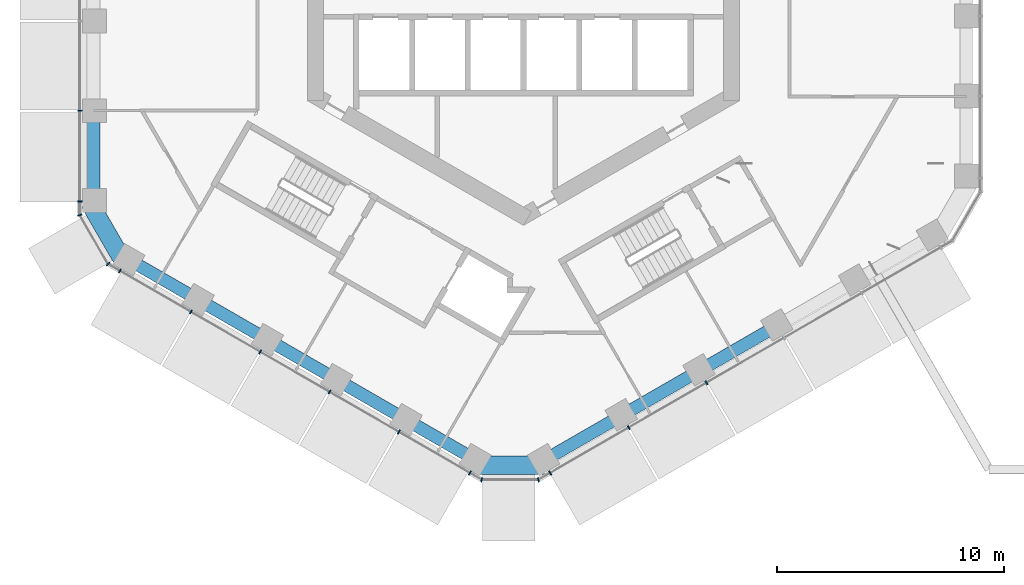
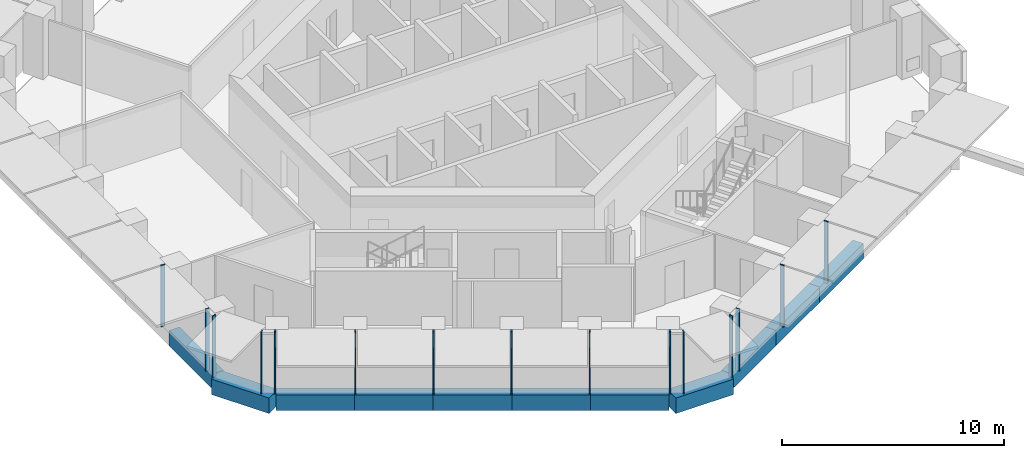
# One storey, part 2 of 21: 15 members, 11 beams, 5 elements without a shape of their own.
"""IFC4 building model written with IfcOpenShell, lengths in metres."""

from ifc_helpers import new_model, si_unit, direction, frame, origin, origin_2d, place, context, subcontext, project, spatial, rectangle, extrude, material, layer, layer_set, material_profile, profile_set, type_object, element, aggregate, save


model = new_model("IFC4")

# Units and contexts
model_context = context("Model", 3, precision=1e-05, world=origin(), true_north=direction((0.0, 1.0)))
body_context = subcontext(model_context, "Body", "Model", "MODEL_VIEW")
ifc_project = project(units=[si_unit("LENGTHUNIT", "METRE"), si_unit("AREAUNIT", "SQUARE_METRE"), si_unit("VOLUMEUNIT", "CUBIC_METRE"), si_unit("PLANEANGLEUNIT", "RADIAN"), si_unit("MASSUNIT", "GRAM", prefix="KILO")], contexts=[model_context])

# Site, building, storey
site_placement = place(None, origin())
site = spatial("IfcSite", under=ifc_project, at=site_placement, CompositionType="ELEMENT")
building_placement = place(site_placement, origin())
building = spatial("IfcBuilding", under=site, at=building_placement, Name="Ayvan Gate Tower", CompositionType="ELEMENT")
storey_placement = place(building_placement, frame((0.0, 0.0, 117.10009765625)))
storey = spatial("IfcBuildingStorey", under=building, at=storey_placement, Name="L31", CompositionType="ELEMENT", Elevation=117.10009765625)

# Beams
ifc_material_1 = material(Name="Concrete C40/50", Category="concrete")
ifc_material_profile_1 = material_profile(ifc_material_1, rectangle(XDim=0.800048828125, YDim=0.85009765625, at=origin_2d()), Name="RC 800x850")
ifc_profile_set_1 = profile_set([ifc_material_profile_1], Name="Concrete C40/50")
beam_type_1 = type_object("IfcBeamType", Name="Corner spandrel beam RC 800x850 C40/50", PredefinedType="BEAM", material=ifc_profile_set_1)
beam_1_placement = place(storey_placement, frame((-19.09619140625, -9.962890625, -0.775146484375), z_axis=(0.50002537861, -0.866010750942, 0.0), x_axis=(0.866010750942, 0.50002537861, 0.0)))
element("IfcBeam", 1, at=beam_1_placement, inside=storey, type_object=beam_type_1, Name="SB-L31-24", PredefinedType="BEAM", context=body_context, shape_type="SweptSolid", body=[
    extrude(rectangle(XDim=0.800048828125, YDim=0.85009765625, at=origin_2d()), origin(), (0.0, 0.0, 1.0), 2.999755859375),
])
beam_2_placement = place(storey_placement, frame((-2.079833984375, -21.51904296875, -0.775146484375), z_axis=(1.0, 0.0, 0.0), x_axis=(0.0, 1.0, 0.0)))
element("IfcBeam", 2, at=beam_2_placement, inside=storey, type_object=beam_type_1, Name="SB-L31-30", PredefinedType="BEAM", context=body_context, shape_type="SweptSolid", body=[
    extrude(rectangle(XDim=0.800048828125, YDim=0.85009765625, at=origin_2d()), origin(), (0.0, 0.0, 1.0), 3.0),
])
ifc_material_profile_2 = material_profile(ifc_material_1, rectangle(XDim=0.550048828125, YDim=0.85009765625, at=origin_2d()), Name="RC 550x850")
ifc_profile_set_2 = profile_set([ifc_material_profile_2], Name="Concrete C40/50")
beam_type_2 = type_object("IfcBeamType", Name="Spandrel beam RC 550x850 C40/50", PredefinedType="BEAM", material=ifc_profile_set_2)
beam_3_placement = place(storey_placement, frame((-18.905517578125, -5.91162109375, -0.775146484375), z_axis=(0.0, -1.0, 0.0), x_axis=(1.0, 0.0, 0.0)))
element("IfcBeam", 3, at=beam_3_placement, inside=storey, type_object=beam_type_2, Name="SB-L31-23", PredefinedType="BEAM", context=body_context, shape_type="SweptSolid", body=[
    extrude(rectangle(XDim=0.550048828125, YDim=0.85009765625, at=origin_2d()), origin(), (0.0, 0.0, 1.0), 3.941162109375),
])
beam_4_placement = place(storey_placement, frame((-17.405517578125, -12.450927734375, -0.775146484375), z_axis=(0.866027055032, -0.499997139945, 0.0), x_axis=(0.499997139945, 0.866027055032, 0.0)))
element("IfcBeam", 4, at=beam_4_placement, inside=storey, type_object=beam_type_2, Name="SB-L31-25", PredefinedType="BEAM", context=body_context, shape_type="SweptSolid", body=[
    extrude(rectangle(XDim=0.550048828125, YDim=0.85009765625, at=origin_2d()), origin(), (0.0, 0.0, 1.0), 3.5390625),
])
for number, where, z_axis, x_axis, name in (
    (5, (-14.340576171875, -14.220458984375, -0.775146484375), (0.866014430886, -0.500019005137, 0.0), (0.500019005137, 0.866014430886, 0.0), "SB-L31-26"),
    (6, (-11.275390625, -15.990234375, -0.775146484375), (0.866044299327, -0.499967270532, 0.0), (0.499967270532, 0.866044299327, 0.0), "SB-L31-27"),
    (7, (-8.210205078125, -17.759765625, -0.775146484375), (0.866014430886, -0.500019005137, 0.0), (0.500019005137, 0.866014430886, 0.0), "SB-L31-28"),
    (8, (-5.14501953125, -19.529541015625, -0.775146484375), (0.866044299327, -0.499967270532, 0.0), (0.499967270532, 0.866044299327, 0.0), "SB-L31-29"),
):
    element("IfcBeam", number, at=place(storey_placement, frame(where, z_axis=z_axis, x_axis=x_axis)), inside=storey, type_object=beam_type_2, Name=name, PredefinedType="BEAM", context=body_context, shape_type="SweptSolid", body=[
        extrude(rectangle(XDim=0.550048828125, YDim=0.85009765625, at=origin_2d()), origin(), (0.0, 0.0, 1.0), 3.539306640625),
    ])
for number, where, z_axis, x_axis, name in (
    (9, (0.920166015625, -21.299072265625, -0.775146484375), (0.866034973562, 0.499983424293, 0.0), (-0.499983424293, 0.866034973562, 0.0), "SB-L31-31"),
    (10, (4.333251953125, -19.32861328125, -0.775146484375), (0.866008149408, 0.500029884265, 0.0), (-0.500029884265, 0.866008149408, 0.0), "SB-L31-32"),
    (11, (7.746337890625, -17.35791015625, -0.775146484375), (0.866034973562, 0.499983424293, 0.0), (-0.499983424293, 0.866034973562, 0.0), "SB-L31-33"),
):
    element("IfcBeam", number, at=place(storey_placement, frame(where, z_axis=z_axis, x_axis=x_axis)), inside=storey, type_object=beam_type_2, Name=name, PredefinedType="BEAM", context=body_context, shape_type="SweptSolid", body=[
        extrude(rectangle(XDim=0.550048828125, YDim=0.85009765625, at=origin_2d()), origin(), (0.0, 0.0, 1.0), 3.941162109375),
    ])

# Curtain wall, members
ifc_material_2 = material(Name="Bronze anodised aluminium", Category="aluminium")
ifc_layer_1 = layer(ifc_material_2, 0.199951171875)
ifc_layer_set_1 = layer_set([ifc_layer_1], Name="Bronze anodised aluminium")
curtain_wall_type_1 = type_object("IfcCurtainWallType", Name="Stick curtain wall CW-1", PredefinedType="NOTDEFINED", material=ifc_layer_set_1)
curtain_wall_1_placement = place(storey_placement, origin())
curtain_wall_1 = element("IfcCurtainWall", 12, at=curtain_wall_1_placement, inside=storey, type_object=curtain_wall_type_1, Name="Stick curtain wall CW-1 L31", PredefinedType="NOTDEFINED")
ifc_material_profile_3 = material_profile(ifc_material_2, rectangle(XDim=0.199951171875, YDim=0.06005859375, at=origin_2d()), Name="Stick curtain wall CW-1 mullion 200 x 60")
ifc_profile_set_3 = profile_set([ifc_material_profile_3], Name="Bronze anodised aluminium")
member_type_1 = type_object("IfcMemberType", Name="Stick curtain wall CW-1 mullion 200 x 60", PredefinedType="MULLION", material=ifc_profile_set_3)
member_1_placement = place(storey_placement, frame((-19.51708984375, -5.92724609375, 0.0), z_axis=(0.0, 0.0, 1.0), x_axis=(-1.0, 0.0, 0.0)))
member_1 = element("IfcMember", 13, at=member_1_placement, type_object=member_type_1, Name="CW-1 mullion 5", PredefinedType="MULLION", context=body_context, shape_type="SweptSolid", body=[
    extrude(rectangle(XDim=0.199951171875, YDim=0.06005859375, at=origin_2d()), origin(), (0.0, 0.0, 1.0), 3.39990234375),
])
member_2_placement = place(storey_placement, frame((-19.51708984375, -9.912841796875, 0.0), z_axis=(0.0, 0.0, 1.0), x_axis=(-1.0, 0.0, 0.0)))
member_2 = element("IfcMember", 14, at=member_2_placement, type_object=member_type_1, Name="CW-1 mullion 6", PredefinedType="MULLION", context=body_context, shape_type="SweptSolid", body=[
    extrude(rectangle(XDim=0.199951171875, YDim=0.06005859375, at=origin_2d()), origin(), (0.0, 0.0, 1.0), 3.39990234375),
])
aggregate(curtain_wall_1, [member_1, member_2])

curtain_wall_2_placement = place(storey_placement, origin())
curtain_wall_2 = element("IfcCurtainWall", 15, at=curtain_wall_2_placement, inside=storey, type_object=curtain_wall_type_1, Name="Stick curtain wall CW-1 L31", PredefinedType="NOTDEFINED")
member_3_placement = place(storey_placement, frame((-17.749755859375, -12.973876953125, 0.0), z_axis=(0.0, 0.0, 1.0), x_axis=(-0.5, -0.866025403784, 0.0)))
member_3 = element("IfcMember", 16, at=member_3_placement, type_object=member_type_1, Name="CW-1 mullion 1", PredefinedType="MULLION", context=body_context, shape_type="SweptSolid", body=[
    extrude(rectangle(XDim=0.199951171875, YDim=0.06005859375, at=origin_2d()), origin(), (0.0, 0.0, 1.0), 3.39990234375),
])
member_4_placement = place(storey_placement, frame((-14.626953125, -14.77685546875, 0.0), z_axis=(0.0, 0.0, 1.0), x_axis=(-0.5, -0.866025403784, 0.0)))
member_4 = element("IfcMember", 17, at=member_4_placement, type_object=member_type_1, Name="CW-1 mullion 2", PredefinedType="MULLION", context=body_context, shape_type="SweptSolid", body=[
    extrude(rectangle(XDim=0.199951171875, YDim=0.06005859375, at=origin_2d()), origin(), (0.0, 0.0, 1.0), 3.39990234375),
])
member_5_placement = place(storey_placement, frame((-11.579345703125, -16.536376953125, 0.0), z_axis=(0.0, 0.0, 1.0), x_axis=(-0.5, -0.866025403784, 0.0)))
member_5 = element("IfcMember", 18, at=member_5_placement, type_object=member_type_1, Name="CW-1 mullion 3", PredefinedType="MULLION", context=body_context, shape_type="SweptSolid", body=[
    extrude(rectangle(XDim=0.199951171875, YDim=0.06005859375, at=origin_2d()), origin(), (0.0, 0.0, 1.0), 3.39990234375),
])
member_6_placement = place(storey_placement, frame((-8.531005859375, -18.29638671875, 0.0), z_axis=(0.0, 0.0, 1.0), x_axis=(-0.5, -0.866025403784, 0.0)))
member_6 = element("IfcMember", 19, at=member_6_placement, type_object=member_type_1, Name="CW-1 mullion 4", PredefinedType="MULLION", context=body_context, shape_type="SweptSolid", body=[
    extrude(rectangle(XDim=0.199951171875, YDim=0.06005859375, at=origin_2d()), origin(), (0.0, 0.0, 1.0), 3.39990234375),
])
member_7_placement = place(storey_placement, frame((-5.4833984375, -20.055908203125, 0.0), z_axis=(0.0, 0.0, 1.0), x_axis=(-0.5, -0.866025403784, 0.0)))
member_7 = element("IfcMember", 20, at=member_7_placement, type_object=member_type_1, Name="CW-1 mullion 5", PredefinedType="MULLION", context=body_context, shape_type="SweptSolid", body=[
    extrude(rectangle(XDim=0.199951171875, YDim=0.06005859375, at=origin_2d()), origin(), (0.0, 0.0, 1.0), 3.39990234375),
])
member_8_placement = place(storey_placement, frame((-2.360595703125, -21.858642578125, 0.0), z_axis=(0.0, 0.0, 1.0), x_axis=(-0.5, -0.866025403784, 0.0)))
member_8 = element("IfcMember", 21, at=member_8_placement, type_object=member_type_1, Name="CW-1 mullion 6", PredefinedType="MULLION", context=body_context, shape_type="SweptSolid", body=[
    extrude(rectangle(XDim=0.199951171875, YDim=0.06005859375, at=origin_2d()), origin(), (0.0, 0.0, 1.0), 3.39990234375),
])
aggregate(curtain_wall_2, [member_3, member_4, member_5, member_6, member_7, member_8])

curtain_wall_3_placement = place(storey_placement, origin())
curtain_wall_3 = element("IfcCurtainWall", 22, at=curtain_wall_3_placement, inside=storey, type_object=curtain_wall_type_1, Name="Stick curtain wall CW-1 L31", PredefinedType="NOTDEFINED")
member_9_placement = place(storey_placement, frame((1.173828125, -21.858642578125, 0.0), z_axis=(0.0, 0.0, 1.0), x_axis=(0.5, -0.866025403784, 0.0)))
member_9 = element("IfcMember", 23, at=member_9_placement, type_object=member_type_1, Name="CW-1 mullion 1", PredefinedType="MULLION", context=body_context, shape_type="SweptSolid", body=[
    extrude(rectangle(XDim=0.199951171875, YDim=0.06005859375, at=origin_2d()), origin(), (0.0, 0.0, 1.0), 3.39990234375),
])
member_10_placement = place(storey_placement, frame((4.625732421875, -19.86572265625, 0.0), z_axis=(0.0, 0.0, 1.0), x_axis=(0.5, -0.866025403784, 0.0)))
member_10 = element("IfcMember", 24, at=member_10_placement, type_object=member_type_1, Name="CW-1 mullion 2", PredefinedType="MULLION", context=body_context, shape_type="SweptSolid", body=[
    extrude(rectangle(XDim=0.199951171875, YDim=0.06005859375, at=origin_2d()), origin(), (0.0, 0.0, 1.0), 3.39990234375),
])
member_11_placement = place(storey_placement, frame((8.04736328125, -17.89013671875, 0.0), z_axis=(0.0, 0.0, 1.0), x_axis=(0.5, -0.866025403784, 0.0)))
member_11 = element("IfcMember", 25, at=member_11_placement, type_object=member_type_1, Name="CW-1 mullion 3", PredefinedType="MULLION", context=body_context, shape_type="SweptSolid", body=[
    extrude(rectangle(XDim=0.199951171875, YDim=0.06005859375, at=origin_2d()), origin(), (0.0, 0.0, 1.0), 3.39990234375),
])
aggregate(curtain_wall_3, [member_9, member_10, member_11])

ifc_layer_2 = layer(ifc_material_2, 0.199951171875)
ifc_layer_set_2 = layer_set([ifc_layer_2], Name="Bronze anodised aluminium")
curtain_wall_type_2 = type_object("IfcCurtainWallType", Name="Stick curtain wall CW-6", PredefinedType="NOTDEFINED", material=ifc_layer_set_2)
curtain_wall_4_placement = place(storey_placement, origin())
curtain_wall_4 = element("IfcCurtainWall", 26, at=curtain_wall_4_placement, inside=storey, type_object=curtain_wall_type_2, Name="Stick curtain wall CW-6 L31", PredefinedType="NOTDEFINED")
ifc_material_profile_4 = material_profile(ifc_material_2, rectangle(XDim=0.199951171875, YDim=0.050048828125, at=origin_2d()), Name="Stick curtain wall CW-6 mullion 200 x 50")
ifc_profile_set_4 = profile_set([ifc_material_profile_4], Name="Bronze anodised aluminium")
member_type_2 = type_object("IfcMemberType", Name="Stick curtain wall CW-6 mullion 200 x 50", PredefinedType="MULLION", material=ifc_profile_set_4)
member_12_placement = place(storey_placement, frame((-19.51708984375, -10.517822265625, 0.0), z_axis=(0.0, 0.0, 1.0), x_axis=(-0.965925826289, -0.258819045103, 0.0)))
member_12 = element("IfcMember", 27, at=member_12_placement, type_object=member_type_2, Name="CW-6 mullion 2", PredefinedType="MULLION", context=body_context, shape_type="SweptSolid", body=[
    extrude(rectangle(XDim=0.199951171875, YDim=0.050048828125, at=origin_2d()), origin(), (0.0, 0.0, 1.0), 3.39990234375),
])
member_13_placement = place(storey_placement, frame((-18.27392578125, -12.67138671875, 0.0), z_axis=(0.0, 0.0, 1.0), x_axis=(-0.707106781187, -0.707106781187, 0.0)))
member_13 = element("IfcMember", 28, at=member_13_placement, type_object=member_type_2, Name="CW-6 mullion 3", PredefinedType="MULLION", context=body_context, shape_type="SweptSolid", body=[
    extrude(rectangle(XDim=0.199951171875, YDim=0.050048828125, at=origin_2d()), origin(), (0.0, 0.0, 1.0), 3.39990234375),
])
aggregate(curtain_wall_4, [member_12, member_13])

curtain_wall_5_placement = place(storey_placement, origin())
curtain_wall_5 = element("IfcCurtainWall", 29, at=curtain_wall_5_placement, inside=storey, type_object=curtain_wall_type_2, Name="Stick curtain wall CW-6 L31", PredefinedType="NOTDEFINED")
member_14_placement = place(storey_placement, frame((-1.836669921875, -22.1611328125, 0.0), z_axis=(0.0, 0.0, 1.0), x_axis=(-0.258819045103, -0.965925826289, 0.0)))
member_14 = element("IfcMember", 30, at=member_14_placement, type_object=member_type_2, Name="CW-6 mullion 2", PredefinedType="MULLION", context=body_context, shape_type="SweptSolid", body=[
    extrude(rectangle(XDim=0.199951171875, YDim=0.050048828125, at=origin_2d()), origin(), (0.0, 0.0, 1.0), 3.39990234375),
])
member_15_placement = place(storey_placement, frame((0.64990234375, -22.1611328125, 0.0), z_axis=(0.0, 0.0, 1.0), x_axis=(0.258819045103, -0.965925826289, 0.0)))
member_15 = element("IfcMember", 31, at=member_15_placement, type_object=member_type_2, Name="CW-6 mullion 3", PredefinedType="MULLION", context=body_context, shape_type="SweptSolid", body=[
    extrude(rectangle(XDim=0.199951171875, YDim=0.050048828125, at=origin_2d()), origin(), (0.0, 0.0, 1.0), 3.39990234375),
])
aggregate(curtain_wall_5, [member_14, member_15])

save(model, "model.ifc")
